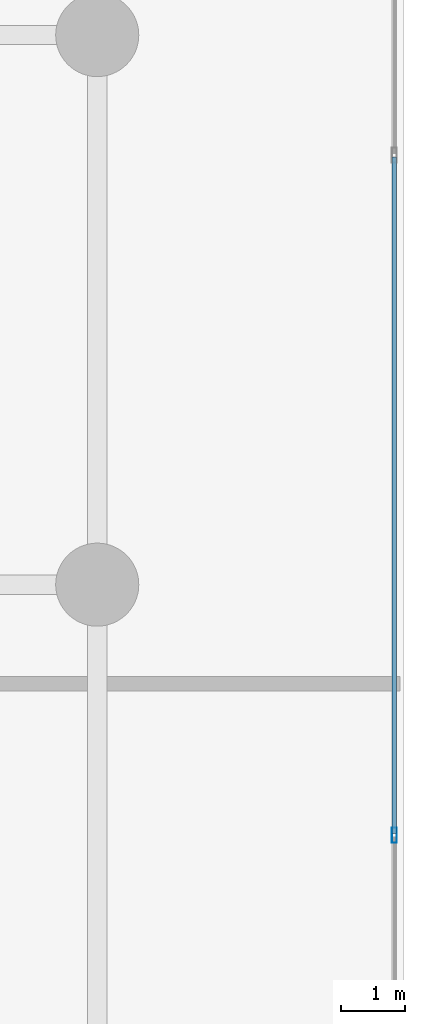
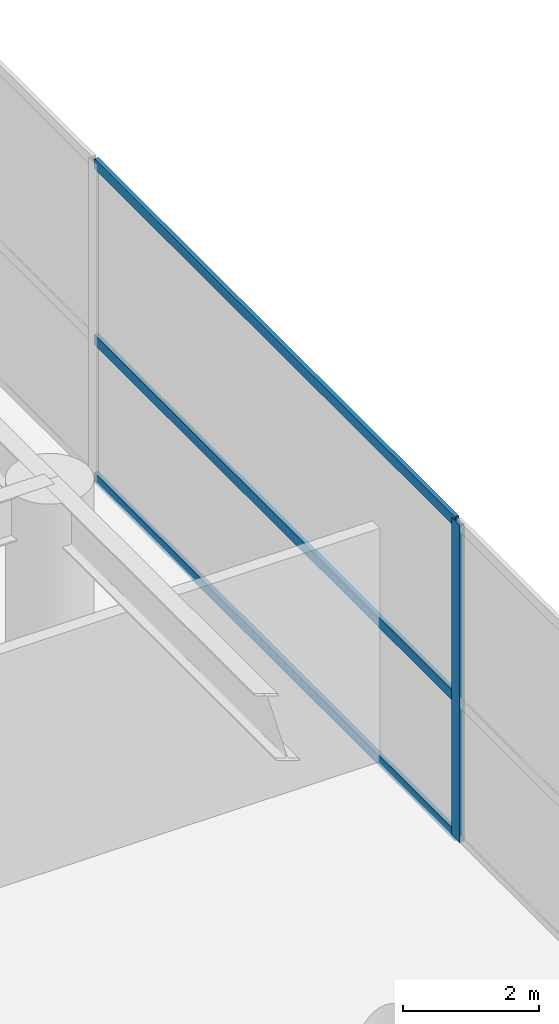
# One storey, part 24 of 35: 4 members, 1 element without a shape of its own.
"""IFC4 building model written with IfcOpenShell, lengths in metres."""

from ifc_helpers import new_model, si_unit, direction, frame, origin, origin_2d, place, context, subcontext, project, spatial, hollow_rectangle, extrude, material, layer, layer_set, material_profile, profile_set, type_object, element, aggregate, save


model = new_model("IFC4")

# Units and contexts
model_context = context("Model", 3, precision=1e-05, world=origin(), true_north=direction((0.0, 1.0)))
body_context = subcontext(model_context, "Body", "Model", "MODEL_VIEW")
ifc_project = project(units=[si_unit("LENGTHUNIT", "METRE"), si_unit("AREAUNIT", "SQUARE_METRE"), si_unit("VOLUMEUNIT", "CUBIC_METRE"), si_unit("PLANEANGLEUNIT", "RADIAN"), si_unit("MASSUNIT", "GRAM", prefix="KILO")], contexts=[model_context])

# Site, building, storey
site_placement = place(None, origin())
site = spatial("IfcSite", under=ifc_project, at=site_placement, CompositionType="ELEMENT")
building_placement = place(site_placement, origin())
building = spatial("IfcBuilding", under=site, at=building_placement, Name="Calvorn Quay Hotel", CompositionType="ELEMENT")
storey_placement = place(building_placement, frame((0.0, 0.0, 6.0)))
storey = spatial("IfcBuildingStorey", under=building, at=storey_placement, Name="L01", CompositionType="ELEMENT", Elevation=6.0)

# Curtain wall, members
ifc_material_1 = material(Name="Pale Anodised Aluminium and Low-E Glass", Category="aluminium")
ifc_layer = layer(ifc_material_1, 0.219970703125)
ifc_layer_set = layer_set([ifc_layer], Name="CW-SYS-POD")
curtain_wall_type = type_object("IfcCurtainWallType", Name="CW-SYS-POD", PredefinedType="NOTDEFINED", material=ifc_layer_set)
curtain_wall_placement = place(storey_placement, origin())
curtain_wall = element("IfcCurtainWall", 1, at=curtain_wall_placement, inside=storey, type_object=curtain_wall_type, Name="Podium Curtain Wall L01-E1", PredefinedType="NOTDEFINED")
ifc_material_2 = material(Name="Pale Anodised Aluminium 6063-T6", Category="aluminium")
ifc_material_profile_1 = material_profile(ifc_material_2, hollow_rectangle(XDim=0.080078125, YDim=0.239990234375, WallThickness=0.0048828125, at=origin_2d()), Name="ALU-M240x80x5")
ifc_profile_set_1 = profile_set([ifc_material_profile_1], Name="Pale Anodised Aluminium 6063-T6")
member_type_1 = type_object("IfcMemberType", Name="CW-SYS-POD-MUL", PredefinedType="MULLION", material=ifc_profile_set_1)
member_1_placement = place(storey_placement, frame((83.85009765625, 23.679931640625, 0.0), z_axis=(0.0, 0.0, 1.0), x_axis=(-1.0, 0.0, 0.0)))
member_1 = element("IfcMember", 2, at=member_1_placement, type_object=member_type_1, Name="CW-L01-E1 mullion 3", PredefinedType="MULLION", context=body_context, shape_type="SweptSolid", body=[
    extrude(hollow_rectangle(XDim=0.080078125, YDim=0.239990234375, WallThickness=0.0048828125, at=origin_2d()), origin(), (0.0, 0.0, 1.0), 5.679931640625),
])
ifc_material_3 = material(Name="Pale Anodised Aluminium 6063-T6", Category="aluminium")
ifc_material_profile_2 = material_profile(ifc_material_3, hollow_rectangle(XDim=0.070068359375, YDim=0.179931640625, WallThickness=0.00390625, at=origin_2d()), Name="ALU-T180x70x4")
ifc_profile_set_2 = profile_set([ifc_material_profile_2], Name="Pale Anodised Aluminium 6063-T6")
member_type_2 = type_object("IfcMemberType", Name="CW-SYS-POD-TRN", PredefinedType="USERDEFINED", material=ifc_profile_set_2)
member_2_placement = place(storey_placement, frame((83.85009765625, 23.7099609375, 0.030029296875), z_axis=(0.0, 1.0, 0.0), x_axis=(-1.0, 0.0, 0.0)))
member_2 = element("IfcMember", 3, at=member_2_placement, type_object=member_type_2, Name="CW-L01-E1 transom 3.1", ObjectType="TRANSOM", PredefinedType="USERDEFINED", context=body_context, shape_type="SweptSolid", body=[
    extrude(hollow_rectangle(XDim=0.070068359375, YDim=0.179931640625, WallThickness=0.00390625, at=origin_2d()), origin(), (0.0, 0.0, 1.0), 10.580078125),
])
member_3_placement = place(storey_placement, frame((83.85009765625, 23.7099609375, 2.5), z_axis=(0.0, 1.0, 0.0), x_axis=(-1.0, 0.0, 0.0)))
member_3 = element("IfcMember", 4, at=member_3_placement, type_object=member_type_2, Name="CW-L01-E1 transom 3.2", ObjectType="TRANSOM", PredefinedType="USERDEFINED", context=body_context, shape_type="SweptSolid", body=[
    extrude(hollow_rectangle(XDim=0.070068359375, YDim=0.179931640625, WallThickness=0.00390625, at=origin_2d()), origin(), (0.0, 0.0, 1.0), 10.580078125),
])
member_4_placement = place(storey_placement, frame((83.85009765625, 23.7099609375, 5.64990234375), z_axis=(0.0, 1.0, 0.0), x_axis=(-1.0, 0.0, 0.0)))
member_4 = element("IfcMember", 5, at=member_4_placement, type_object=member_type_2, Name="CW-L01-E1 transom 3.3", ObjectType="TRANSOM", PredefinedType="USERDEFINED", context=body_context, shape_type="SweptSolid", body=[
    extrude(hollow_rectangle(XDim=0.070068359375, YDim=0.179931640625, WallThickness=0.00390625, at=origin_2d()), origin(), (0.0, 0.0, 1.0), 10.580078125),
])
aggregate(curtain_wall, [member_1, member_2, member_3, member_4])

save(model, "model.ifc")
